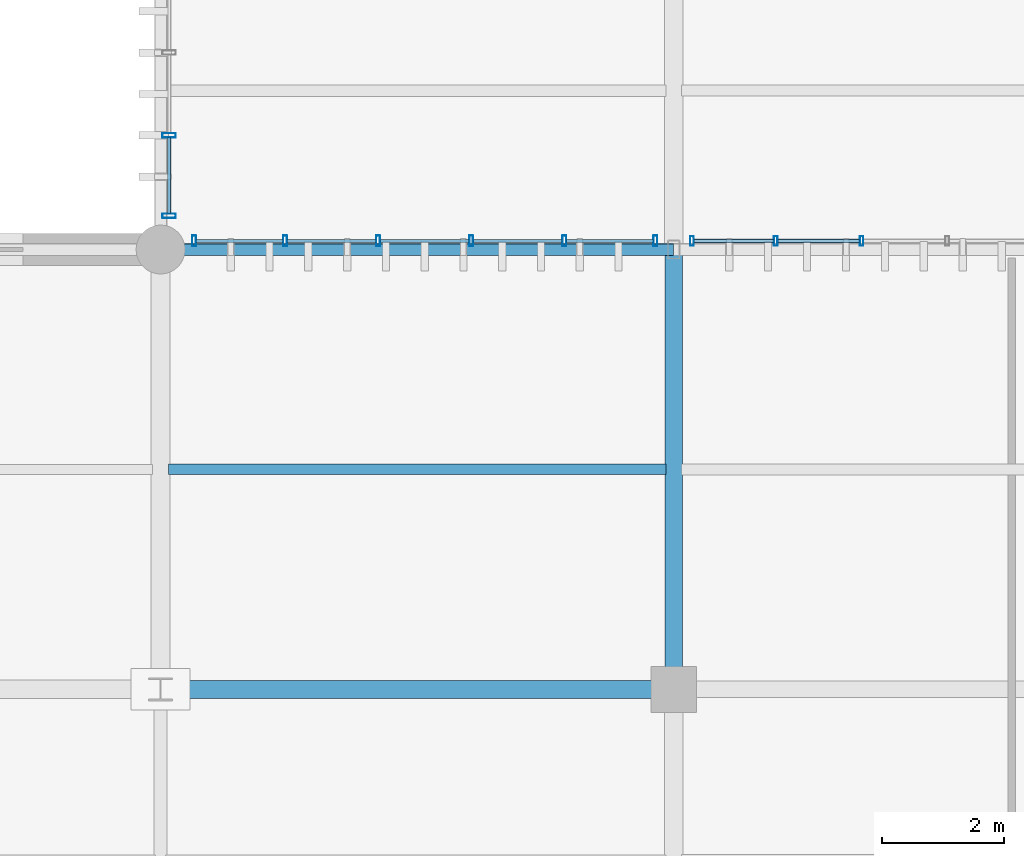
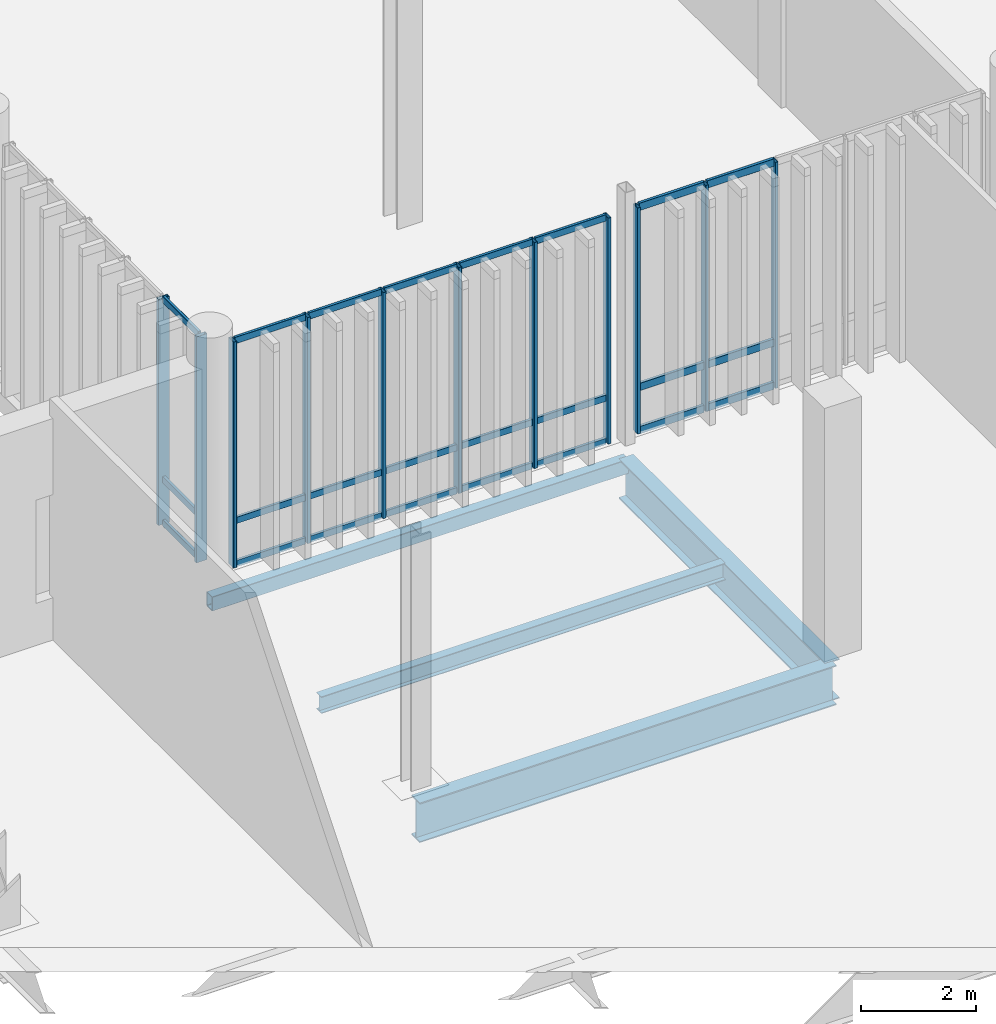
# One storey, part 56 of 112: 35 members, 4 beams, 3 elements without a shape of their own.
"""IFC4 building model written with IfcOpenShell, lengths in metres."""

from ifc_helpers import new_model, si_unit, direction, frame, origin_with_axes, origin_2d_with_axis, place, context, subcontext, project, spatial, hollow_rectangle, i_section, extrude, material, material_profile, profile_set, type_object, element, aggregate, save


model = new_model("IFC4")

# Units and contexts
model_context = context("Model", 3, precision=1e-05, world=origin_with_axes(), true_north=direction((0.0, 1.0)))
body_context = subcontext(model_context, "Body", "Model", "MODEL_VIEW")
ifc_project = project(units=[si_unit("LENGTHUNIT", "METRE"), si_unit("AREAUNIT", "SQUARE_METRE"), si_unit("VOLUMEUNIT", "CUBIC_METRE"), si_unit("PLANEANGLEUNIT", "RADIAN"), si_unit("MASSUNIT", "GRAM", prefix="KILO"), si_unit("THERMODYNAMICTEMPERATUREUNIT", "KELVIN")], contexts=[model_context])

# Site, building, storey
site_placement = place(None, origin_with_axes())
site = spatial("IfcSite", under=ifc_project, at=site_placement, CompositionType="ELEMENT")
building_placement = place(site_placement, origin_with_axes())
building = spatial("IfcBuilding", under=site, at=building_placement, Name="Montbau Bow Law Courts", CompositionType="ELEMENT")
storey_placement = place(building_placement, origin_with_axes())
storey = spatial("IfcBuildingStorey", under=building, at=storey_placement, Name="L00", CompositionType="ELEMENT", Elevation=0.0)

# Beams
ifc_material_1 = material(Name="Steel CSA G40.21 Grade 350W (350 MPa)", Category="steel")
ifc_material_profile_1 = material_profile(ifc_material_1, i_section(OverallWidth=0.293, OverallDepth=0.846, WebThickness=0.0154, FlangeThickness=0.0244, at=origin_2d_with_axis()), Name="W840X210", Category="Main", Priority=0)
ifc_profile_set_1 = profile_set([ifc_material_profile_1], Name="Steel CSA G40.21 Grade 350W (350 MPa)")
beam_type_1 = type_object("IfcBeamType", Name="B-FLR-02", PredefinedType="BEAM", material=ifc_profile_set_1)
beam_1_placement = place(None, frame((138.6, 54.6, -0.763), z_axis=(1.0, 0.0, 0.0), x_axis=(0.0, 1.0, 0.0)))
element("IfcBeam", 1, at=beam_1_placement, inside=storey, type_object=beam_type_1, Name="BM-L00-S0356:bm2_0359", PredefinedType="BEAM", context=body_context, shape_type="SweptSolid", body=[
    extrude(i_section(OverallWidth=0.293, OverallDepth=0.846, WebThickness=0.0154, FlangeThickness=0.0244, at=origin_2d_with_axis()), origin_with_axes(), (0.0, 0.0, 1.0), 8.4),
])
beam_2_placement = place(None, frame((147.0, 54.6, -0.763), z_axis=(0.0, 1.0, 0.0), x_axis=(-1.0, 0.0, 0.0)))
element("IfcBeam", 2, at=beam_2_placement, inside=storey, type_object=beam_type_1, Name="BM-L00-S0383:bm2_0386", PredefinedType="BEAM", context=body_context, shape_type="SweptSolid", body=[
    extrude(i_section(OverallWidth=0.293, OverallDepth=0.846, WebThickness=0.0154, FlangeThickness=0.0244, at=origin_2d_with_axis()), origin_with_axes(), (0.0, 0.0, 1.0), 7.2),
])
ifc_material_profile_2 = material_profile(ifc_material_1, i_section(OverallWidth=0.172, OverallDepth=0.358, WebThickness=0.0079, FlangeThickness=0.0131, at=origin_2d_with_axis()), Name="W360X57", Category="Main", Priority=0)
ifc_profile_set_2 = profile_set([ifc_material_profile_2], Name="Steel CSA G40.21 Grade 350W (350 MPa)")
beam_type_2 = type_object("IfcBeamType", Name="B-JST-03", PredefinedType="JOIST", material=ifc_profile_set_2)
beam_3_placement = place(None, frame((138.729, 58.2, -0.519), z_axis=(1.0, 0.0, 0.0), x_axis=(0.0, 1.0, 0.0)))
element("IfcBeam", 3, at=beam_3_placement, inside=storey, type_object=beam_type_2, Name="JST-L00-S0146:jst2_0146", PredefinedType="JOIST", context=body_context, shape_type="SweptSolid", body=[
    extrude(i_section(OverallWidth=0.172, OverallDepth=0.358, WebThickness=0.0079, FlangeThickness=0.0131, at=origin_2d_with_axis()), origin_with_axes(), (0.0, 0.0, 1.0), 8.148),
])
ifc_material_2 = material(Name="Steel CSA G40.21 Grade 350WT (350 MPa)", Category="steel")
ifc_material_profile_3 = material_profile(ifc_material_2, hollow_rectangle(XDim=0.203, YDim=0.305, WallThickness=0.0127, InnerFilletRadius=0.0254, OuterFilletRadius=0.0127, at=origin_2d_with_axis()), Name="HSS305X203X13", Category="Main", Priority=0)
ifc_profile_set_3 = profile_set([ifc_material_profile_3], Name="Steel CSA G40.21 Grade 350WT (350 MPa)")
beam_type_3 = type_object("IfcBeamType", Name="B-SPN-02", PredefinedType="SPANDREL", material=ifc_profile_set_3)
beam_4_placement = place(None, frame((138.6, 61.8, -0.493), z_axis=(1.0, 0.0, 0.0), x_axis=(0.0, 1.0, 0.0)))
element("IfcBeam", 4, at=beam_4_placement, inside=storey, type_object=beam_type_3, Name="SPN-L00-S0362:bm2_0365", PredefinedType="SPANDREL", context=body_context, shape_type="SweptSolid", body=[
    extrude(hollow_rectangle(XDim=0.203, YDim=0.305, WallThickness=0.0127, InnerFilletRadius=0.0254, OuterFilletRadius=0.0127, at=origin_2d_with_axis()), origin_with_axes(), (0.0, 0.0, 1.0), 8.4),
])

# Curtain wall, members
ifc_material_3 = material(Name="Thermally Broken Extruded Aluminium AA 6063-T6", Category="aluminium")
curtain_wall_type = type_object("IfcCurtainWallType", Name="CW-SLT-01", PredefinedType="NOTDEFINED", material=ifc_material_3)
curtain_wall_1_placement = place(None, frame((138.74, 62.315, 0.0), z_axis=(0.0, 0.0, 1.0), x_axis=(1.0, 0.0, 0.0)))
curtain_wall_1 = element("IfcCurtainWall", 5, at=curtain_wall_1_placement, inside=storey, type_object=curtain_wall_type, Name="CW-L00-267:cw_0267", PredefinedType="NOTDEFINED")
ifc_material_profile_4 = material_profile(ifc_material_3, hollow_rectangle(XDim=0.075, YDim=0.22, WallThickness=0.005, InnerFilletRadius=0.01, OuterFilletRadius=0.005, at=origin_2d_with_axis()), Name="CWM-220X75", Category="Main", Priority=0)
ifc_profile_set_4 = profile_set([ifc_material_profile_4], Name="Thermally Broken Extruded Aluminium AA 6063-T6")
member_type_1 = type_object("IfcMemberType", Name="M-MUL-01", PredefinedType="MULLION", material=ifc_profile_set_4)
member_1_placement = place(None, frame((138.74, 62.352, 0.0), z_axis=(0.0, 0.0, 1.0), x_axis=(0.0, 1.0, 0.0)))
member_1 = element("IfcMember", 6, at=member_1_placement, type_object=member_type_1, Name="CW-L00-267-M01:cw_0267_M01", PredefinedType="MULLION", context=body_context, shape_type="SweptSolid", body=[
    extrude(hollow_rectangle(XDim=0.075, YDim=0.22, WallThickness=0.005, InnerFilletRadius=0.01, OuterFilletRadius=0.005, at=origin_2d_with_axis()), origin_with_axes(), (0.0, 0.0, 1.0), 4.82),
])
member_2_placement = place(None, frame((138.74, 63.669, 0.0), z_axis=(0.0, 0.0, 1.0), x_axis=(0.0, 1.0, 0.0)))
member_2 = element("IfcMember", 7, at=member_2_placement, type_object=member_type_1, Name="CW-L00-267-M02:cw_0267_M02", PredefinedType="MULLION", context=body_context, shape_type="SweptSolid", body=[
    extrude(hollow_rectangle(XDim=0.075, YDim=0.22, WallThickness=0.005, InnerFilletRadius=0.01, OuterFilletRadius=0.005, at=origin_2d_with_axis()), origin_with_axes(), (0.0, 0.0, 1.0), 4.82),
])

curtain_wall_2_placement = place(None, frame((139.115, 61.94, 0.0), z_axis=(0.0, 0.0, 1.0), x_axis=(1.0, 0.0, 0.0)))
curtain_wall_2 = element("IfcCurtainWall", 8, at=curtain_wall_2_placement, inside=storey, type_object=curtain_wall_type, Name="CW-L00-259:cw_0259", PredefinedType="NOTDEFINED")
ifc_material_profile_5 = material_profile(ifc_material_3, hollow_rectangle(XDim=0.065, YDim=0.18, WallThickness=0.005, InnerFilletRadius=0.01, OuterFilletRadius=0.005, at=origin_2d_with_axis()), Name="CWM-180X65", Category="Main", Priority=0)
ifc_profile_set_5 = profile_set([ifc_material_profile_5], Name="Thermally Broken Extruded Aluminium AA 6063-T6")
member_type_2 = type_object("IfcMemberType", Name="M-MUL-02", PredefinedType="MULLION", material=ifc_profile_set_5)
member_3_placement = place(None, frame((139.148, 61.94, 0.0), z_axis=(0.0, 0.0, 1.0), x_axis=(1.0, 0.0, 0.0)))
member_3 = element("IfcMember", 9, at=member_3_placement, type_object=member_type_2, Name="CW-L00-259-M01:cw_0259_M01", PredefinedType="MULLION", context=body_context, shape_type="SweptSolid", body=[
    extrude(hollow_rectangle(XDim=0.065, YDim=0.18, WallThickness=0.005, InnerFilletRadius=0.01, OuterFilletRadius=0.005, at=origin_2d_with_axis()), origin_with_axes(), (0.0, 0.0, 1.0), 4.82),
])
member_4_placement = place(None, frame((140.638, 61.94, 0.0), z_axis=(0.0, 0.0, 1.0), x_axis=(1.0, 0.0, 0.0)))
member_4 = element("IfcMember", 10, at=member_4_placement, type_object=member_type_2, Name="CW-L00-259-M02:cw_0259_M02", PredefinedType="MULLION", context=body_context, shape_type="SweptSolid", body=[
    extrude(hollow_rectangle(XDim=0.065, YDim=0.18, WallThickness=0.005, InnerFilletRadius=0.01, OuterFilletRadius=0.005, at=origin_2d_with_axis()), origin_with_axes(), (0.0, 0.0, 1.0), 4.82),
])
member_5_placement = place(None, frame((142.162, 61.94, 0.0), z_axis=(0.0, 0.0, 1.0), x_axis=(1.0, 0.0, 0.0)))
member_5 = element("IfcMember", 11, at=member_5_placement, type_object=member_type_2, Name="CW-L00-259-M03:cw_0259_M03", PredefinedType="MULLION", context=body_context, shape_type="SweptSolid", body=[
    extrude(hollow_rectangle(XDim=0.065, YDim=0.18, WallThickness=0.005, InnerFilletRadius=0.01, OuterFilletRadius=0.005, at=origin_2d_with_axis()), origin_with_axes(), (0.0, 0.0, 1.0), 4.82),
])
member_6_placement = place(None, frame((143.685, 61.94, 0.0), z_axis=(0.0, 0.0, 1.0), x_axis=(1.0, 0.0, 0.0)))
member_6 = element("IfcMember", 12, at=member_6_placement, type_object=member_type_2, Name="CW-L00-259-M04:cw_0259_M04", PredefinedType="MULLION", context=body_context, shape_type="SweptSolid", body=[
    extrude(hollow_rectangle(XDim=0.065, YDim=0.18, WallThickness=0.005, InnerFilletRadius=0.01, OuterFilletRadius=0.005, at=origin_2d_with_axis()), origin_with_axes(), (0.0, 0.0, 1.0), 4.82),
])
member_7_placement = place(None, frame((145.209, 61.94, 0.0), z_axis=(0.0, 0.0, 1.0), x_axis=(1.0, 0.0, 0.0)))
member_7 = element("IfcMember", 13, at=member_7_placement, type_object=member_type_2, Name="CW-L00-259-M05:cw_0259_M05", PredefinedType="MULLION", context=body_context, shape_type="SweptSolid", body=[
    extrude(hollow_rectangle(XDim=0.065, YDim=0.18, WallThickness=0.005, InnerFilletRadius=0.01, OuterFilletRadius=0.005, at=origin_2d_with_axis()), origin_with_axes(), (0.0, 0.0, 1.0), 4.82),
])
member_8_placement = place(None, frame((146.699, 61.94, 0.0), z_axis=(0.0, 0.0, 1.0), x_axis=(1.0, 0.0, 0.0)))
member_8 = element("IfcMember", 14, at=member_8_placement, type_object=member_type_2, Name="CW-L00-259-M06:cw_0259_M06", PredefinedType="MULLION", context=body_context, shape_type="SweptSolid", body=[
    extrude(hollow_rectangle(XDim=0.065, YDim=0.18, WallThickness=0.005, InnerFilletRadius=0.01, OuterFilletRadius=0.005, at=origin_2d_with_axis()), origin_with_axes(), (0.0, 0.0, 1.0), 4.82),
])

curtain_wall_3_placement = place(None, frame((147.268, 61.94, 0.0), z_axis=(0.0, 0.0, 1.0), x_axis=(1.0, 0.0, 0.0)))
curtain_wall_3 = element("IfcCurtainWall", 15, at=curtain_wall_3_placement, inside=storey, type_object=curtain_wall_type, Name="CW-L00-260:cw_0260", PredefinedType="NOTDEFINED")
ifc_material_profile_6 = material_profile(ifc_material_3, hollow_rectangle(XDim=0.06, YDim=0.16, WallThickness=0.004, InnerFilletRadius=0.008, OuterFilletRadius=0.004, at=origin_2d_with_axis()), Name="CWM-160X60", Category="Main", Priority=0)
ifc_profile_set_6 = profile_set([ifc_material_profile_6], Name="Thermally Broken Extruded Aluminium AA 6063-T6")
member_type_3 = type_object("IfcMemberType", Name="M-MUL-03", PredefinedType="MULLION", material=ifc_profile_set_6)
member_9_placement = place(None, frame((147.298, 61.94, 0.0), z_axis=(0.0, 0.0, 1.0), x_axis=(1.0, 0.0, 0.0)))
member_9 = element("IfcMember", 16, at=member_9_placement, type_object=member_type_3, Name="CW-L00-260-M01:cw_0260_M01", PredefinedType="MULLION", context=body_context, shape_type="SweptSolid", body=[
    extrude(hollow_rectangle(XDim=0.06, YDim=0.16, WallThickness=0.004, InnerFilletRadius=0.008, OuterFilletRadius=0.004, at=origin_2d_with_axis()), origin_with_axes(), (0.0, 0.0, 1.0), 4.82),
])
member_10_placement = place(None, frame((148.671, 61.94, 0.0), z_axis=(0.0, 0.0, 1.0), x_axis=(1.0, 0.0, 0.0)))
member_10 = element("IfcMember", 17, at=member_10_placement, type_object=member_type_3, Name="CW-L00-260-M02:cw_0260_M02", PredefinedType="MULLION", context=body_context, shape_type="SweptSolid", body=[
    extrude(hollow_rectangle(XDim=0.06, YDim=0.16, WallThickness=0.004, InnerFilletRadius=0.008, OuterFilletRadius=0.004, at=origin_2d_with_axis()), origin_with_axes(), (0.0, 0.0, 1.0), 4.82),
])
member_11_placement = place(None, frame((150.075, 61.94, 0.0), z_axis=(0.0, 0.0, 1.0), x_axis=(1.0, 0.0, 0.0)))
member_11 = element("IfcMember", 18, at=member_11_placement, type_object=member_type_3, Name="CW-L00-260-M03:cw_0260_M03", PredefinedType="MULLION", context=body_context, shape_type="SweptSolid", body=[
    extrude(hollow_rectangle(XDim=0.06, YDim=0.16, WallThickness=0.004, InnerFilletRadius=0.008, OuterFilletRadius=0.004, at=origin_2d_with_axis()), origin_with_axes(), (0.0, 0.0, 1.0), 4.82),
])
ifc_material_profile_7 = material_profile(ifc_material_3, hollow_rectangle(XDim=0.06, YDim=0.16, WallThickness=0.004, InnerFilletRadius=0.008, OuterFilletRadius=0.004, at=origin_2d_with_axis()), Name="CWT-160X60", Category="Main", Priority=0)
ifc_profile_set_7 = profile_set([ifc_material_profile_7], Name="Thermally Broken Extruded Aluminium AA 6063-T6")
member_type_4 = type_object("IfcMemberType", Name="M-TRN-01", PredefinedType="USERDEFINED", material=ifc_profile_set_7)
member_12_placement = place(None, frame((147.33, 61.94, 0.03), z_axis=(1.0, 0.0, 0.0), x_axis=(0.0, 1.0, 0.0)))
member_12 = element("IfcMember", 19, at=member_12_placement, type_object=member_type_4, Name="CW-L00-260-T01-1:cw_0260_T01_1", ObjectType="TRANSOM", PredefinedType="USERDEFINED", context=body_context, shape_type="SweptSolid", body=[
    extrude(hollow_rectangle(XDim=0.06, YDim=0.16, WallThickness=0.004, InnerFilletRadius=0.008, OuterFilletRadius=0.004, at=origin_2d_with_axis()), origin_with_axes(), (0.0, 0.0, 1.0), 1.309),
])
member_13_placement = place(None, frame((147.33, 61.94, 0.95), z_axis=(1.0, 0.0, 0.0), x_axis=(0.0, 1.0, 0.0)))
member_13 = element("IfcMember", 20, at=member_13_placement, type_object=member_type_4, Name="CW-L00-260-T01-2:cw_0260_T01_2", ObjectType="TRANSOM", PredefinedType="USERDEFINED", context=body_context, shape_type="SweptSolid", body=[
    extrude(hollow_rectangle(XDim=0.06, YDim=0.16, WallThickness=0.004, InnerFilletRadius=0.008, OuterFilletRadius=0.004, at=origin_2d_with_axis()), origin_with_axes(), (0.0, 0.0, 1.0), 1.309),
])
member_14_placement = place(None, frame((147.33, 61.94, 4.79), z_axis=(1.0, 0.0, 0.0), x_axis=(0.0, 1.0, 0.0)))
member_14 = element("IfcMember", 21, at=member_14_placement, type_object=member_type_4, Name="CW-L00-260-T01-3:cw_0260_T01_3", ObjectType="TRANSOM", PredefinedType="USERDEFINED", context=body_context, shape_type="SweptSolid", body=[
    extrude(hollow_rectangle(XDim=0.06, YDim=0.16, WallThickness=0.004, InnerFilletRadius=0.008, OuterFilletRadius=0.004, at=origin_2d_with_axis()), origin_with_axes(), (0.0, 0.0, 1.0), 1.309),
])
member_15_placement = place(None, frame((148.703, 61.94, 0.03), z_axis=(1.0, 0.0, 0.0), x_axis=(0.0, 1.0, 0.0)))
member_15 = element("IfcMember", 22, at=member_15_placement, type_object=member_type_4, Name="CW-L00-260-T02-1:cw_0260_T02_1", ObjectType="TRANSOM", PredefinedType="USERDEFINED", context=body_context, shape_type="SweptSolid", body=[
    extrude(hollow_rectangle(XDim=0.06, YDim=0.16, WallThickness=0.004, InnerFilletRadius=0.008, OuterFilletRadius=0.004, at=origin_2d_with_axis()), origin_with_axes(), (0.0, 0.0, 1.0), 1.34),
])
member_16_placement = place(None, frame((148.703, 61.94, 0.95), z_axis=(1.0, 0.0, 0.0), x_axis=(0.0, 1.0, 0.0)))
member_16 = element("IfcMember", 23, at=member_16_placement, type_object=member_type_4, Name="CW-L00-260-T02-2:cw_0260_T02_2", ObjectType="TRANSOM", PredefinedType="USERDEFINED", context=body_context, shape_type="SweptSolid", body=[
    extrude(hollow_rectangle(XDim=0.06, YDim=0.16, WallThickness=0.004, InnerFilletRadius=0.008, OuterFilletRadius=0.004, at=origin_2d_with_axis()), origin_with_axes(), (0.0, 0.0, 1.0), 1.34),
])
member_17_placement = place(None, frame((148.703, 61.94, 4.79), z_axis=(1.0, 0.0, 0.0), x_axis=(0.0, 1.0, 0.0)))
member_17 = element("IfcMember", 24, at=member_17_placement, type_object=member_type_4, Name="CW-L00-260-T02-3:cw_0260_T02_3", ObjectType="TRANSOM", PredefinedType="USERDEFINED", context=body_context, shape_type="SweptSolid", body=[
    extrude(hollow_rectangle(XDim=0.06, YDim=0.16, WallThickness=0.004, InnerFilletRadius=0.008, OuterFilletRadius=0.004, at=origin_2d_with_axis()), origin_with_axes(), (0.0, 0.0, 1.0), 1.34),
])
aggregate(curtain_wall_3, [member_9, member_10, member_11, member_12, member_13, member_14, member_15, member_16, member_17])

# Member
ifc_material_profile_8 = material_profile(ifc_material_3, hollow_rectangle(XDim=0.055, YDim=0.14, WallThickness=0.004, InnerFilletRadius=0.008, OuterFilletRadius=0.004, at=origin_2d_with_axis()), Name="CWT-140X55", Category="Main", Priority=0)
ifc_profile_set_8 = profile_set([ifc_material_profile_8], Name="Thermally Broken Extruded Aluminium AA 6063-T6")
member_type_5 = type_object("IfcMemberType", Name="M-TRN-02", PredefinedType="USERDEFINED", material=ifc_profile_set_8)
member_18_placement = place(None, frame((139.183, 61.94, 0.028), z_axis=(1.0, 0.0, 0.0), x_axis=(0.0, 1.0, 0.0)))
member_18 = element("IfcMember", 25, at=member_18_placement, type_object=member_type_5, Name="CW-L00-259-T01-1:cw_0259_T01_1", ObjectType="TRANSOM", PredefinedType="USERDEFINED", context=body_context, shape_type="SweptSolid", body=[
    extrude(hollow_rectangle(XDim=0.055, YDim=0.14, WallThickness=0.004, InnerFilletRadius=0.008, OuterFilletRadius=0.004, at=origin_2d_with_axis()), origin_with_axes(), (0.0, 0.0, 1.0), 1.42),
])

member_19_placement = place(None, frame((139.183, 61.94, 0.95), z_axis=(1.0, 0.0, 0.0), x_axis=(0.0, 1.0, 0.0)))
member_19 = element("IfcMember", 26, at=member_19_placement, type_object=member_type_5, Name="CW-L00-259-T01-2:cw_0259_T01_2", ObjectType="TRANSOM", PredefinedType="USERDEFINED", context=body_context, shape_type="SweptSolid", body=[
    extrude(hollow_rectangle(XDim=0.055, YDim=0.14, WallThickness=0.004, InnerFilletRadius=0.008, OuterFilletRadius=0.004, at=origin_2d_with_axis()), origin_with_axes(), (0.0, 0.0, 1.0), 1.42),
])

member_20_placement = place(None, frame((139.183, 61.94, 4.793), z_axis=(1.0, 0.0, 0.0), x_axis=(0.0, 1.0, 0.0)))
member_20 = element("IfcMember", 27, at=member_20_placement, type_object=member_type_5, Name="CW-L00-259-T01-3:cw_0259_T01_3", ObjectType="TRANSOM", PredefinedType="USERDEFINED", context=body_context, shape_type="SweptSolid", body=[
    extrude(hollow_rectangle(XDim=0.055, YDim=0.14, WallThickness=0.004, InnerFilletRadius=0.008, OuterFilletRadius=0.004, at=origin_2d_with_axis()), origin_with_axes(), (0.0, 0.0, 1.0), 1.42),
])

member_21_placement = place(None, frame((140.672, 61.94, 0.028), z_axis=(1.0, 0.0, 0.0), x_axis=(0.0, 1.0, 0.0)))
member_21 = element("IfcMember", 28, at=member_21_placement, type_object=member_type_5, Name="CW-L00-259-T02-1:cw_0259_T02_1", ObjectType="TRANSOM", PredefinedType="USERDEFINED", context=body_context, shape_type="SweptSolid", body=[
    extrude(hollow_rectangle(XDim=0.055, YDim=0.14, WallThickness=0.004, InnerFilletRadius=0.008, OuterFilletRadius=0.004, at=origin_2d_with_axis()), origin_with_axes(), (0.0, 0.0, 1.0), 1.456),
])

member_22_placement = place(None, frame((140.672, 61.94, 0.95), z_axis=(1.0, 0.0, 0.0), x_axis=(0.0, 1.0, 0.0)))
member_22 = element("IfcMember", 29, at=member_22_placement, type_object=member_type_5, Name="CW-L00-259-T02-2:cw_0259_T02_2", ObjectType="TRANSOM", PredefinedType="USERDEFINED", context=body_context, shape_type="SweptSolid", body=[
    extrude(hollow_rectangle(XDim=0.055, YDim=0.14, WallThickness=0.004, InnerFilletRadius=0.008, OuterFilletRadius=0.004, at=origin_2d_with_axis()), origin_with_axes(), (0.0, 0.0, 1.0), 1.456),
])

member_23_placement = place(None, frame((140.672, 61.94, 4.793), z_axis=(1.0, 0.0, 0.0), x_axis=(0.0, 1.0, 0.0)))
member_23 = element("IfcMember", 30, at=member_23_placement, type_object=member_type_5, Name="CW-L00-259-T02-3:cw_0259_T02_3", ObjectType="TRANSOM", PredefinedType="USERDEFINED", context=body_context, shape_type="SweptSolid", body=[
    extrude(hollow_rectangle(XDim=0.055, YDim=0.14, WallThickness=0.004, InnerFilletRadius=0.008, OuterFilletRadius=0.004, at=origin_2d_with_axis()), origin_with_axes(), (0.0, 0.0, 1.0), 1.456),
])

member_24_placement = place(None, frame((142.197, 61.94, 0.028), z_axis=(1.0, 0.0, 0.0), x_axis=(0.0, 1.0, 0.0)))
member_24 = element("IfcMember", 31, at=member_24_placement, type_object=member_type_5, Name="CW-L00-259-T03-1:cw_0259_T03_1", ObjectType="TRANSOM", PredefinedType="USERDEFINED", context=body_context, shape_type="SweptSolid", body=[
    extrude(hollow_rectangle(XDim=0.055, YDim=0.14, WallThickness=0.004, InnerFilletRadius=0.008, OuterFilletRadius=0.004, at=origin_2d_with_axis()), origin_with_axes(), (0.0, 0.0, 1.0), 1.454),
])

member_25_placement = place(None, frame((142.197, 61.94, 0.95), z_axis=(1.0, 0.0, 0.0), x_axis=(0.0, 1.0, 0.0)))
member_25 = element("IfcMember", 32, at=member_25_placement, type_object=member_type_5, Name="CW-L00-259-T03-2:cw_0259_T03_2", ObjectType="TRANSOM", PredefinedType="USERDEFINED", context=body_context, shape_type="SweptSolid", body=[
    extrude(hollow_rectangle(XDim=0.055, YDim=0.14, WallThickness=0.004, InnerFilletRadius=0.008, OuterFilletRadius=0.004, at=origin_2d_with_axis()), origin_with_axes(), (0.0, 0.0, 1.0), 1.454),
])

member_26_placement = place(None, frame((142.197, 61.94, 4.793), z_axis=(1.0, 0.0, 0.0), x_axis=(0.0, 1.0, 0.0)))
member_26 = element("IfcMember", 33, at=member_26_placement, type_object=member_type_5, Name="CW-L00-259-T03-3:cw_0259_T03_3", ObjectType="TRANSOM", PredefinedType="USERDEFINED", context=body_context, shape_type="SweptSolid", body=[
    extrude(hollow_rectangle(XDim=0.055, YDim=0.14, WallThickness=0.004, InnerFilletRadius=0.008, OuterFilletRadius=0.004, at=origin_2d_with_axis()), origin_with_axes(), (0.0, 0.0, 1.0), 1.454),
])

member_27_placement = place(None, frame((143.719, 61.94, 0.028), z_axis=(1.0, 0.0, 0.0), x_axis=(0.0, 1.0, 0.0)))
member_27 = element("IfcMember", 34, at=member_27_placement, type_object=member_type_5, Name="CW-L00-259-T04-1:cw_0259_T04_1", ObjectType="TRANSOM", PredefinedType="USERDEFINED", context=body_context, shape_type="SweptSolid", body=[
    extrude(hollow_rectangle(XDim=0.055, YDim=0.14, WallThickness=0.004, InnerFilletRadius=0.008, OuterFilletRadius=0.004, at=origin_2d_with_axis()), origin_with_axes(), (0.0, 0.0, 1.0), 1.456),
])

member_28_placement = place(None, frame((143.719, 61.94, 0.95), z_axis=(1.0, 0.0, 0.0), x_axis=(0.0, 1.0, 0.0)))
member_28 = element("IfcMember", 35, at=member_28_placement, type_object=member_type_5, Name="CW-L00-259-T04-2:cw_0259_T04_2", ObjectType="TRANSOM", PredefinedType="USERDEFINED", context=body_context, shape_type="SweptSolid", body=[
    extrude(hollow_rectangle(XDim=0.055, YDim=0.14, WallThickness=0.004, InnerFilletRadius=0.008, OuterFilletRadius=0.004, at=origin_2d_with_axis()), origin_with_axes(), (0.0, 0.0, 1.0), 1.456),
])

member_29_placement = place(None, frame((143.719, 61.94, 4.793), z_axis=(1.0, 0.0, 0.0), x_axis=(0.0, 1.0, 0.0)))
member_29 = element("IfcMember", 36, at=member_29_placement, type_object=member_type_5, Name="CW-L00-259-T04-3:cw_0259_T04_3", ObjectType="TRANSOM", PredefinedType="USERDEFINED", context=body_context, shape_type="SweptSolid", body=[
    extrude(hollow_rectangle(XDim=0.055, YDim=0.14, WallThickness=0.004, InnerFilletRadius=0.008, OuterFilletRadius=0.004, at=origin_2d_with_axis()), origin_with_axes(), (0.0, 0.0, 1.0), 1.456),
])

member_30_placement = place(None, frame((145.243, 61.94, 0.028), z_axis=(1.0, 0.0, 0.0), x_axis=(0.0, 1.0, 0.0)))
member_30 = element("IfcMember", 37, at=member_30_placement, type_object=member_type_5, Name="CW-L00-259-T05-1:cw_0259_T05_1", ObjectType="TRANSOM", PredefinedType="USERDEFINED", context=body_context, shape_type="SweptSolid", body=[
    extrude(hollow_rectangle(XDim=0.055, YDim=0.14, WallThickness=0.004, InnerFilletRadius=0.008, OuterFilletRadius=0.004, at=origin_2d_with_axis()), origin_with_axes(), (0.0, 0.0, 1.0), 1.422),
])

member_31_placement = place(None, frame((145.243, 61.94, 0.95), z_axis=(1.0, 0.0, 0.0), x_axis=(0.0, 1.0, 0.0)))
member_31 = element("IfcMember", 38, at=member_31_placement, type_object=member_type_5, Name="CW-L00-259-T05-2:cw_0259_T05_2", ObjectType="TRANSOM", PredefinedType="USERDEFINED", context=body_context, shape_type="SweptSolid", body=[
    extrude(hollow_rectangle(XDim=0.055, YDim=0.14, WallThickness=0.004, InnerFilletRadius=0.008, OuterFilletRadius=0.004, at=origin_2d_with_axis()), origin_with_axes(), (0.0, 0.0, 1.0), 1.422),
])

member_32_placement = place(None, frame((145.243, 61.94, 4.793), z_axis=(1.0, 0.0, 0.0), x_axis=(0.0, 1.0, 0.0)))
member_32 = element("IfcMember", 39, at=member_32_placement, type_object=member_type_5, Name="CW-L00-259-T05-3:cw_0259_T05_3", ObjectType="TRANSOM", PredefinedType="USERDEFINED", context=body_context, shape_type="SweptSolid", body=[
    extrude(hollow_rectangle(XDim=0.055, YDim=0.14, WallThickness=0.004, InnerFilletRadius=0.008, OuterFilletRadius=0.004, at=origin_2d_with_axis()), origin_with_axes(), (0.0, 0.0, 1.0), 1.422),
])

aggregate(curtain_wall_2, [member_3, member_4, member_5, member_6, member_7, member_8, member_18, member_19, member_20, member_21, member_22, member_23, member_24, member_25, member_26, member_27, member_28, member_29, member_30, member_31, member_32])

member_33_placement = place(None, frame((138.74, 62.391, 0.028), z_axis=(0.0, 1.0, 0.0), x_axis=(-1.0, 0.0, 0.0)))
member_33 = element("IfcMember", 40, at=member_33_placement, type_object=member_type_5, Name="CW-L00-267-T01-1:cw_0267_T01_1", ObjectType="TRANSOM", PredefinedType="USERDEFINED", context=body_context, shape_type="SweptSolid", body=[
    extrude(hollow_rectangle(XDim=0.055, YDim=0.14, WallThickness=0.004, InnerFilletRadius=0.008, OuterFilletRadius=0.004, at=origin_2d_with_axis()), origin_with_axes(), (0.0, 0.0, 1.0), 1.239),
])

member_34_placement = place(None, frame((138.74, 62.391, 0.95), z_axis=(0.0, 1.0, 0.0), x_axis=(-1.0, 0.0, 0.0)))
member_34 = element("IfcMember", 41, at=member_34_placement, type_object=member_type_5, Name="CW-L00-267-T01-2:cw_0267_T01_2", ObjectType="TRANSOM", PredefinedType="USERDEFINED", context=body_context, shape_type="SweptSolid", body=[
    extrude(hollow_rectangle(XDim=0.055, YDim=0.14, WallThickness=0.004, InnerFilletRadius=0.008, OuterFilletRadius=0.004, at=origin_2d_with_axis()), origin_with_axes(), (0.0, 0.0, 1.0), 1.239),
])

member_35_placement = place(None, frame((138.74, 62.391, 4.793), z_axis=(0.0, 1.0, 0.0), x_axis=(-1.0, 0.0, 0.0)))
member_35 = element("IfcMember", 42, at=member_35_placement, type_object=member_type_5, Name="CW-L00-267-T01-3:cw_0267_T01_3", ObjectType="TRANSOM", PredefinedType="USERDEFINED", context=body_context, shape_type="SweptSolid", body=[
    extrude(hollow_rectangle(XDim=0.055, YDim=0.14, WallThickness=0.004, InnerFilletRadius=0.008, OuterFilletRadius=0.004, at=origin_2d_with_axis()), origin_with_axes(), (0.0, 0.0, 1.0), 1.239),
])

aggregate(curtain_wall_1, [member_1, member_2, member_33, member_34, member_35])

save(model, "model.ifc")
